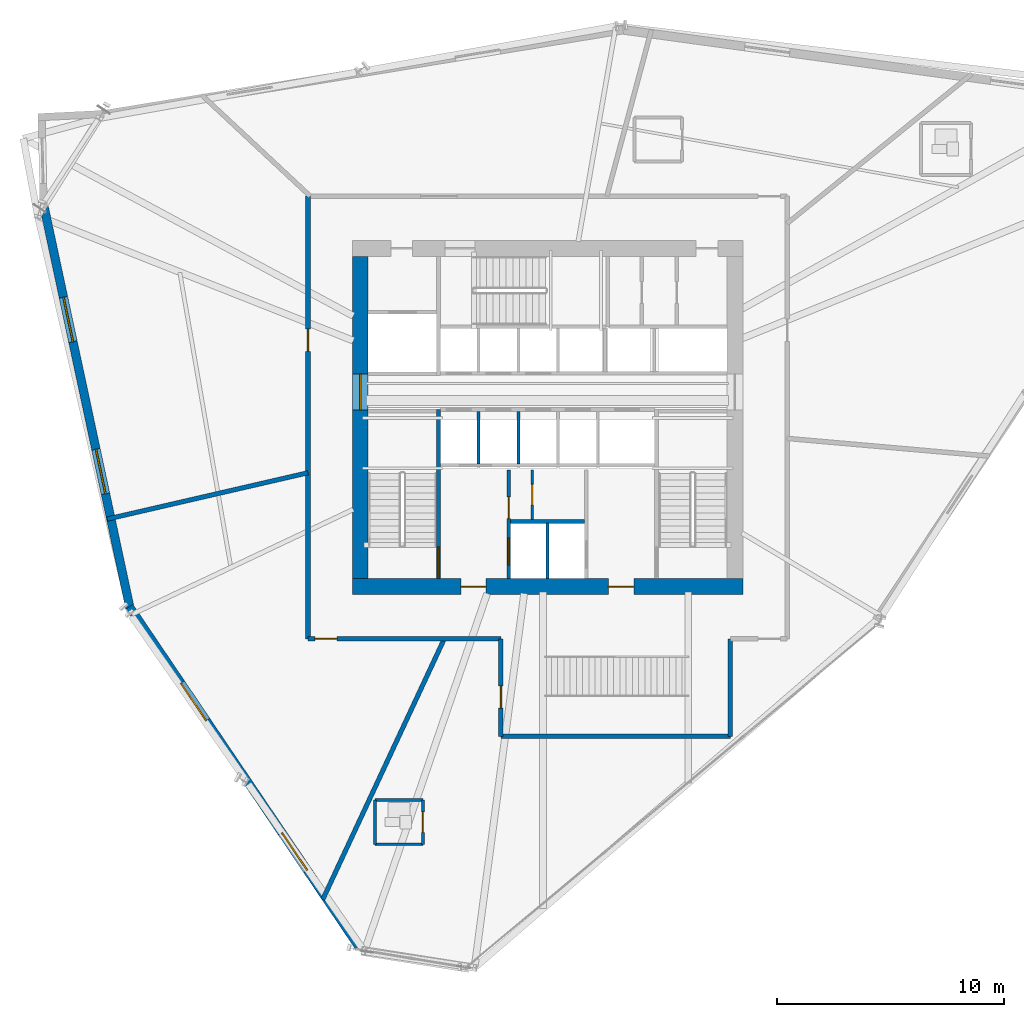
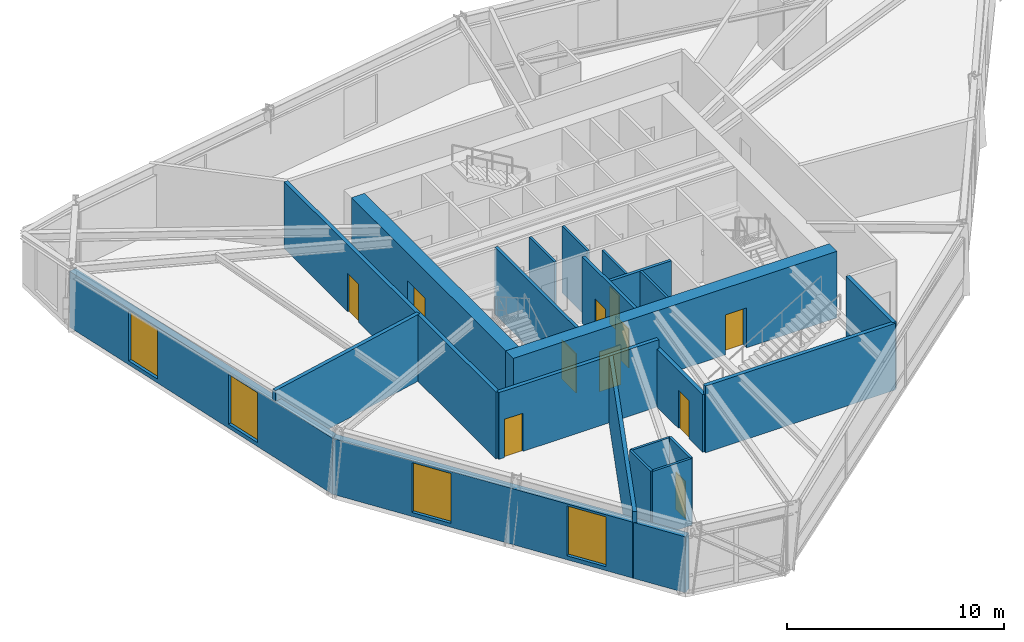
# One storey, part 11 of 16: 22 walls, 11 doors, 4 windows, 15 openings.
"""IFC4 building model written with IfcOpenShell, lengths in metres."""

from ifc_helpers import new_model, si_unit, direction, frame, frame_2d, origin, place, context, subcontext, project, spatial, rectangle, extrude, source, transform, mapped, material, layer, layer_set, type_object, type_shapes, element, fill, save


model = new_model("IFC4")

# Units and contexts
model_context = context("Model", 3, precision=1e-05, world=origin(), true_north=direction((0.0, 1.0)))
body_context = subcontext(model_context, "Body", "Model", "MODEL_VIEW")
ifc_project = project(units=[si_unit("LENGTHUNIT", "METRE"), si_unit("AREAUNIT", "SQUARE_METRE"), si_unit("VOLUMEUNIT", "CUBIC_METRE"), si_unit("PLANEANGLEUNIT", "RADIAN"), si_unit("MASSUNIT", "GRAM", prefix="KILO")], contexts=[model_context])

# Site, building, storey
site_placement = place(None, origin())
site = spatial("IfcSite", under=ifc_project, at=site_placement, CompositionType="ELEMENT")
building_placement = place(site_placement, origin())
building = spatial("IfcBuilding", under=site, at=building_placement, Name="Olszyna Solenne Hotel", CompositionType="ELEMENT")
storey_placement = place(building_placement, frame((0.0, 0.0, 134.10009765625)))
storey = spatial("IfcBuildingStorey", under=building, at=storey_placement, Name="L35", CompositionType="ELEMENT", Elevation=134.10009765625)

# Wall, openings, doors
ifc_material_1 = material(Name="Concrete C60/75", Category="concrete")
ifc_layer_1 = layer(ifc_material_1, 0.699951171875, Name="Concrete C60/75")
ifc_layer_set_1 = layer_set([ifc_layer_1], Name="Concrete C60/75")
wall_type_1 = type_object("IfcWallType", Name="WL-CR700", PredefinedType="SHEAR", material=ifc_layer_set_1)
wall_1_placement = place(storey_placement, frame((46.60009765625, 19.14990234375, 0.0), z_axis=(0.0, 0.0, 1.0), x_axis=(-1.0, 0.0, 0.0)))
wall_1 = element("IfcWall", 1, at=wall_1_placement, inside=storey, type_object=wall_type_1, Name="Core shear wall WL-CR700 CRW-L35-S", PredefinedType="SHEAR", context=body_context, shape_type="SweptSolid", body=[
    extrude(rectangle(XDim=17.2001953125, YDim=0.699951171875, at=frame_2d((8.60009765625, 0.0))), origin(), (0.0, 0.0, 1.0), 3.75),
])
opening_1_placement = place(wall_1_placement, frame((4.800048828125, 0.0, 0.0)))
opening_1 = element("IfcOpeningElement", 2, at=opening_1_placement, cuts=wall_1, Name="Opening FL-L35-1", PredefinedType="OPENING", context=body_context, shape_type="SweptSolid", body=[
    extrude(rectangle(XDim=1.1201171875, YDim=2.25, at=frame_2d((0.56005859375, 1.125))), frame((0.0, 0.35986328125, 0.0), z_axis=(0.0, -1.0, 0.0), x_axis=(1.0, 0.0, 0.0)), (0.0, 0.0, 1.0), 0.719970703125),
])
opening_2_placement = place(wall_1_placement, frame((11.300048828125, 0.0, 0.0)))
opening_2 = element("IfcOpeningElement", 3, at=opening_2_placement, cuts=wall_1, Name="Opening FL-L35-2", PredefinedType="OPENING", context=body_context, shape_type="SweptSolid", body=[
    extrude(rectangle(XDim=1.1201171875, YDim=2.25, at=frame_2d((0.56005859375, 1.125))), frame((0.0, 0.35986328125, 0.0), z_axis=(0.0, -1.0, 0.0), x_axis=(1.0, 0.0, 0.0)), (0.0, 0.0, 1.0), 0.719970703125),
])
ifc_material_2 = material(Name="Steel S355J2", Category="steel")
door_type_1 = type_object("IfcDoorType", Name="DR-FL1", OperationType="NOTDEFINED", PredefinedType="DOOR", material=ifc_material_2)
shared_shape_1 = source(origin(), body_context, "Body", "SweptSolid", [
    extrude(rectangle(XDim=1.1201171875, YDim=2.25, at=frame_2d((0.56005859375, 1.125))), frame((0.0, 0.02490234375, 0.0), z_axis=(0.0, -1.0, 0.0), x_axis=(1.0, 0.0, 0.0)), (0.0, 0.0, 1.0), 0.050048828125),
])
type_shapes(door_type_1, [shared_shape_1])
door_1_placement = place(opening_1_placement, origin())
door_1 = element("IfcDoor", 4, at=door_1_placement, inside=storey, type_object=door_type_1, Name="Firefighting lift lobby smoke door FL-L35-1", OperationType="SINGLE_SWING_LEFT", OverallHeight=2.25, OverallWidth=1.1201171875, PredefinedType="DOOR", context=body_context, shape_type="MappedRepresentation", body=[
    mapped(shared_shape_1, transform((0.0, 0.0, 0.0), x_axis=(1.0, 0.0, 0.0), y_axis=(0.0, 1.0, 0.0), z_axis=(0.0, 0.0, 1.0), scale=1.0)),
])
fill(opening_1, door_1)
door_2_placement = place(opening_2_placement, origin())
door_2 = element("IfcDoor", 5, at=door_2_placement, inside=storey, type_object=door_type_1, Name="Firefighting lift lobby smoke door FL-L35-2", OperationType="SINGLE_SWING_RIGHT", OverallHeight=2.25, OverallWidth=1.1201171875, PredefinedType="DOOR", context=body_context, shape_type="MappedRepresentation", body=[
    mapped(shared_shape_1, transform((0.0, 0.0, 0.0), x_axis=(1.0, 0.0, 0.0), y_axis=(0.0, 1.0, 0.0), z_axis=(0.0, 0.0, 1.0), scale=1.0)),
])
fill(opening_2, door_2)

# Wall, opening, door
wall_2_placement = place(storey_placement, frame((29.75, 19.5, 0.0), z_axis=(0.0, 0.0, 1.0), x_axis=(0.0, 1.0, 0.0)))
wall_2 = element("IfcWall", 6, at=wall_2_placement, inside=storey, type_object=wall_type_1, Name="Core shear wall WL-CR700 CRW-L35-W", PredefinedType="SHEAR", context=body_context, shape_type="SweptSolid", body=[
    extrude(rectangle(XDim=14.199951171875, YDim=0.699951171875, at=frame_2d((7.10009765625, 0.0))), origin(), (0.0, 0.0, 1.0), 3.75),
])
opening_3_placement = place(wall_2_placement, frame((7.419921875, 0.0, 0.0)))
opening_3 = element("IfcOpeningElement", 7, at=opening_3_placement, cuts=wall_2, Name="Opening LHD-L35-W", PredefinedType="OPENING", context=body_context, shape_type="SweptSolid", body=[
    extrude(rectangle(XDim=1.60009765625, YDim=2.199951171875, at=frame_2d((0.800048828125, 1.10009765625))), frame((0.0, 0.35986328125, 0.0), z_axis=(0.0, -1.0, 0.0), x_axis=(1.0, 0.0, 0.0)), (0.0, 0.0, 1.0), 0.719970703125),
])
ifc_material_3 = material(Name="Timber hardwood", Category="wood")
door_type_2 = type_object("IfcDoorType", Name="DR-CR1", OperationType="DOUBLE_DOOR_SINGLE_SWING", PredefinedType="DOOR", material=ifc_material_3)
shared_shape_2 = source(origin(), body_context, "Body", "SweptSolid", [
    extrude(rectangle(XDim=1.60009765625, YDim=2.199951171875, at=frame_2d((0.800048828125, 1.10009765625))), frame((0.0, 0.02490234375, 0.0), z_axis=(0.0, -1.0, 0.0), x_axis=(1.0, 0.0, 0.0)), (0.0, 0.0, 1.0), 0.050048828125),
])
type_shapes(door_type_2, [shared_shape_2])
door_3_placement = place(opening_3_placement, origin())
door_3 = element("IfcDoor", 8, at=door_3_placement, inside=storey, type_object=door_type_2, Name="Passenger lift lobby West fire door LHD-L35-W", OperationType="DOUBLE_DOOR_SINGLE_SWING", OverallHeight=2.199951171875, OverallWidth=1.60009765625, PredefinedType="DOOR", context=body_context, shape_type="MappedRepresentation", body=[
    mapped(shared_shape_2, transform((0.0, 0.0, 0.0), x_axis=(1.0, 0.0, 0.0), y_axis=(0.0, 1.0, 0.0), z_axis=(0.0, 0.0, 1.0), scale=1.0)),
])
fill(opening_3, door_3)

# Wall, openings, windows
ifc_material_4 = material(Name="Terracotta cladding on precast concrete C45/55", Category="masonry")
ifc_layer_2 = layer(ifc_material_4, 0.3798828125, Name="Terracotta cladding on precast concrete C45/55")
ifc_layer_set_2 = layer_set([ifc_layer_2], Name="Terracotta cladding on precast concrete C45/55")
wall_type_2 = type_object("IfcWallType", Name="WL-EX380", PredefinedType="SOLIDWALL", material=ifc_layer_set_2)
wall_3_placement = place(storey_placement, frame((29.6875, 3.294921875, 0.0), z_axis=(0.0, 0.0, 1.0), x_axis=(-0.55956316064, 0.828787710608, 0.0)))
wall_3 = element("IfcWall", 9, at=wall_3_placement, inside=storey, type_object=wall_type_2, Name="Exterior terracotta-precast frame wall WL-EX380 EW-L35-03", PredefinedType="SOLIDWALL", context=body_context, shape_type="SweptSolid", body=[
    extrude(rectangle(XDim=18.061279296875, YDim=0.3798828125, at=frame_2d((9.03076171875, 0.0))), origin(), (0.0, 0.0, 1.0), 3.141845703125),
])
opening_4_placement = place(wall_3_placement, frame((4.056884765625, 0.0, 0.221923828125)))
opening_4 = element("IfcOpeningElement", 10, at=opening_4_placement, cuts=wall_3, Name="Opening WN-L35-202", PredefinedType="OPENING", context=body_context, shape_type="SweptSolid", body=[
    extrude(rectangle(XDim=2.0, YDim=2.800048828125, at=frame_2d((1.0, 1.39990234375))), frame((0.0, 0.199951171875, 0.0), z_axis=(0.0, -1.0, 0.0), x_axis=(1.0, 0.0, 0.0)), (0.0, 0.0, 1.0), 0.39990234375),
])
opening_5_placement = place(wall_3_placement, frame((12.00390625, 0.0, 0.221923828125)))
opening_5 = element("IfcOpeningElement", 11, at=opening_5_placement, cuts=wall_3, Name="Opening WN-L35-203", PredefinedType="OPENING", context=body_context, shape_type="SweptSolid", body=[
    extrude(rectangle(XDim=2.0, YDim=2.800048828125, at=frame_2d((1.0, 1.39990234375))), frame((0.0, 0.199951171875, 0.0), z_axis=(0.0, -1.0, 0.0), x_axis=(1.0, 0.0, 0.0)), (0.0, 0.0, 1.0), 0.39990234375),
])
ifc_material_5 = material(Name="Low-E triple glazing", Category="glass")
window_type = type_object("IfcWindowType", Name="WN-SG1", PartitioningType="SINGLE_PANEL", PredefinedType="WINDOW", material=ifc_material_5)
shared_shape_3 = source(origin(), body_context, "Body", "SweptSolid", [
    extrude(rectangle(XDim=2.0, YDim=2.800048828125, at=frame_2d((1.0, 1.39990234375))), frame((0.0, 0.030029296875, 0.0), z_axis=(0.0, -1.0, 0.0), x_axis=(1.0, 0.0, 0.0)), (0.0, 0.0, 1.0), 0.06005859375),
])
type_shapes(window_type, [shared_shape_3])
window_1_placement = place(opening_4_placement, origin())
window_1 = element("IfcWindow", 12, at=window_1_placement, inside=storey, type_object=window_type, Name="Exterior facade window WN-SG1 WN-L35-202", OverallHeight=2.800048828125, OverallWidth=2.0, PartitioningType="SINGLE_PANEL", PredefinedType="WINDOW", context=body_context, shape_type="MappedRepresentation", body=[
    mapped(shared_shape_3, transform((0.0, 0.0, 0.0), x_axis=(1.0, 0.0, 0.0), y_axis=(0.0, 1.0, 0.0), z_axis=(0.0, 0.0, 1.0), scale=1.0)),
])
fill(opening_4, window_1)
window_2_placement = place(opening_5_placement, origin())
window_2 = element("IfcWindow", 13, at=window_2_placement, inside=storey, type_object=window_type, Name="Exterior facade window WN-SG1 WN-L35-203", OverallHeight=2.800048828125, OverallWidth=2.0, PartitioningType="SINGLE_PANEL", PredefinedType="WINDOW", context=body_context, shape_type="MappedRepresentation", body=[
    mapped(shared_shape_3, transform((0.0, 0.0, 0.0), x_axis=(1.0, 0.0, 0.0), y_axis=(0.0, 1.0, 0.0), z_axis=(0.0, 0.0, 1.0), scale=1.0)),
])
fill(opening_5, window_2)

wall_4_placement = place(storey_placement, frame((19.609375, 18.197509765625, 0.0), z_axis=(0.0, 0.0, 1.0), x_axis=(-0.209230911942, 0.977866261555, 0.0)))
wall_4 = element("IfcWall", 14, at=wall_4_placement, inside=storey, type_object=wall_type_2, Name="Exterior terracotta-precast frame wall WL-EX380 EW-L35-04", PredefinedType="SOLIDWALL", context=body_context, shape_type="SweptSolid", body=[
    extrude(rectangle(XDim=18.0615234375, YDim=0.3798828125, at=frame_2d((9.03076171875, 0.0))), origin(), (0.0, 0.0, 1.0), 3.141845703125),
])
opening_6_placement = place(wall_4_placement, frame((5.156982421875, 0.0, 0.221923828125)))
opening_6 = element("IfcOpeningElement", 15, at=opening_6_placement, cuts=wall_4, Name="Opening WN-L35-204", PredefinedType="OPENING", context=body_context, shape_type="SweptSolid", body=[
    extrude(rectangle(XDim=2.0, YDim=2.800048828125, at=frame_2d((1.0, 1.39990234375))), frame((0.0, 0.199951171875, 0.0), z_axis=(0.0, -1.0, 0.0), x_axis=(1.0, 0.0, 0.0)), (0.0, 0.0, 1.0), 0.39990234375),
])
opening_7_placement = place(wall_4_placement, frame((12.00390625, 0.0, 0.221923828125)))
opening_7 = element("IfcOpeningElement", 16, at=opening_7_placement, cuts=wall_4, Name="Opening WN-L35-205", PredefinedType="OPENING", context=body_context, shape_type="SweptSolid", body=[
    extrude(rectangle(XDim=2.0, YDim=2.800048828125, at=frame_2d((1.0, 1.39990234375))), frame((0.0, 0.199951171875, 0.0), z_axis=(0.0, -1.0, 0.0), x_axis=(1.0, 0.0, 0.0)), (0.0, 0.0, 1.0), 0.39990234375),
])
window_3_placement = place(opening_6_placement, origin())
window_3 = element("IfcWindow", 17, at=window_3_placement, inside=storey, type_object=window_type, Name="Exterior facade window WN-SG1 WN-L35-204", OverallHeight=2.800048828125, OverallWidth=2.0, PartitioningType="SINGLE_PANEL", PredefinedType="WINDOW", context=body_context, shape_type="MappedRepresentation", body=[
    mapped(shared_shape_3, transform((0.0, 0.0, 0.0), x_axis=(1.0, 0.0, 0.0), y_axis=(0.0, 1.0, 0.0), z_axis=(0.0, 0.0, 1.0), scale=1.0)),
])
fill(opening_6, window_3)
window_4_placement = place(opening_7_placement, origin())
window_4 = element("IfcWindow", 18, at=window_4_placement, inside=storey, type_object=window_type, Name="Exterior facade window WN-SG1 WN-L35-205", OverallHeight=2.800048828125, OverallWidth=2.0, PartitioningType="SINGLE_PANEL", PredefinedType="WINDOW", context=body_context, shape_type="MappedRepresentation", body=[
    mapped(shared_shape_3, transform((0.0, 0.0, 0.0), x_axis=(1.0, 0.0, 0.0), y_axis=(0.0, 1.0, 0.0), z_axis=(0.0, 0.0, 1.0), scale=1.0)),
])
fill(opening_7, window_4)

# Wall
ifc_material_6 = material(Name="Acoustic gypsum partition", Category="gypsum")
ifc_layer_3 = layer(ifc_material_6, 0.125, Name="Acoustic gypsum partition")
ifc_layer_set_3 = layer_set([ifc_layer_3], Name="Acoustic gypsum partition")
wall_type_3 = type_object("IfcWallType", Name="WL-PT125", PredefinedType="PARTITIONING", material=ifc_layer_set_3)
wall_5_placement = place(storey_placement, frame((38.0, 19.5, 0.0), z_axis=(0.0, 0.0, 1.0), x_axis=(0.0, 1.0, 0.0)))
element("IfcWall", 19, at=wall_5_placement, inside=storey, type_object=wall_type_3, Name="Core shaft compartment wall CW-L35-FFM", PredefinedType="PARTITIONING", context=body_context, shape_type="SweptSolid", body=[
    extrude(rectangle(XDim=2.4599609375, YDim=0.125, at=frame_2d((1.22998046875, 0.0))), origin(), (0.0, 0.0, 1.0), 3.75),
])

# Wall, opening, door
wall_6_placement = place(storey_placement, frame((37.330078125, 22.10009765625, 0.0), z_axis=(0.0, 0.0, 1.0), x_axis=(0.0, 1.0, 0.0)))
wall_6 = element("IfcWall", 20, at=wall_6_placement, inside=storey, type_object=wall_type_3, Name="Core shaft compartment wall CW-L35-SC3", PredefinedType="PARTITIONING", context=body_context, shape_type="SweptSolid", body=[
    extrude(rectangle(XDim=2.179931640625, YDim=0.125, at=frame_2d((1.08984375, 0.0))), origin(), (0.0, 0.0, 1.0), 3.75),
])
opening_8_placement = place(wall_6_placement, frame((0.64990234375, 0.0, 0.0)))
opening_8 = element("IfcOpeningElement", 21, at=opening_8_placement, cuts=wall_6, Name="Opening SVD-L35-SC3", PredefinedType="OPENING", context=body_context, shape_type="SweptSolid", body=[
    extrude(rectangle(XDim=0.89990234375, YDim=2.10009765625, at=frame_2d((0.449951171875, 1.050048828125))), frame((0.0, 0.072509765625, 0.0), z_axis=(0.0, -1.0, 0.0), x_axis=(1.0, 0.0, 0.0)), (0.0, 0.0, 1.0), 0.14501953125),
])
door_type_3 = type_object("IfcDoorType", Name="DR-WC1", OperationType="NOTDEFINED", PredefinedType="DOOR", material=ifc_material_3)
shared_shape_4 = source(origin(), body_context, "Body", "SweptSolid", [
    extrude(rectangle(XDim=0.89990234375, YDim=2.10009765625, at=frame_2d((0.449951171875, 1.050048828125))), frame((0.0, 0.02490234375, 0.0), z_axis=(0.0, -1.0, 0.0), x_axis=(1.0, 0.0, 0.0)), (0.0, 0.0, 1.0), 0.050048828125),
])
type_shapes(door_type_3, [shared_shape_4])
door_4_placement = place(opening_8_placement, origin())
door_4 = element("IfcDoor", 22, at=door_4_placement, inside=storey, type_object=door_type_3, Name="Trolley bay door SVD-L35-SC3", OperationType="SINGLE_SWING_LEFT", OverallHeight=2.10009765625, OverallWidth=0.89990234375, PredefinedType="DOOR", context=body_context, shape_type="MappedRepresentation", body=[
    mapped(shared_shape_4, transform((0.0, 0.0, 0.0), x_axis=(1.0, 0.0, 0.0), y_axis=(0.0, 1.0, 0.0), z_axis=(0.0, 0.0, 1.0), scale=1.0)),
])
fill(opening_8, door_4)

# Walls
for number, where, z_axis, x_axis, name in (
    (23, (34.965087890625, 24.56005859375, 0.0), (0.0, 0.0, 1.0), (0.0, 1.0, 0.0), "Core shaft compartment wall CW-L35-DIVS349"),
    (24, (36.715087890625, 24.56005859375, 0.0), (0.0, 0.0, 1.0), (0.0, 1.0, 0.0), "Core shaft compartment wall CW-L35-DIVS367"),
):
    element("IfcWall", number, at=place(storey_placement, frame(where, z_axis=z_axis, x_axis=x_axis)), inside=storey, type_object=wall_type_3, Name=name, PredefinedType="PARTITIONING", context=body_context, shape_type="SweptSolid", body=[
        extrude(rectangle(XDim=2.31005859375, YDim=0.125, at=frame_2d((1.155029296875, 0.0))), origin(), (0.0, 0.0, 1.0), 3.75),
    ])

# Wall, opening, door
wall_7_placement = place(storey_placement, frame((32.509033203125, 7.801025390625, 0.0), z_axis=(0.0, 0.0, 1.0), x_axis=(0.0, 1.0, 0.0)))
wall_7 = element("IfcWall", 25, at=wall_7_placement, inside=storey, type_object=wall_type_3, Name="Interior acoustic partition WL-PT125 PW-L35-2016", PredefinedType="PARTITIONING", context=body_context, shape_type="SweptSolid", body=[
    extrude(rectangle(XDim=1.949951171875, YDim=0.125, at=frame_2d((0.97509765625, 0.0))), origin(), (0.0, 0.0, 1.0), 3.75),
])
opening_9_placement = place(wall_7_placement, frame((0.52490234375, 0.0, 0.0)))
opening_9 = element("IfcOpeningElement", 26, at=opening_9_placement, cuts=wall_7, Name="Opening DR-L35-0488", PredefinedType="OPENING", context=body_context, shape_type="SweptSolid", body=[
    extrude(rectangle(XDim=0.89990234375, YDim=2.10009765625, at=frame_2d((0.449951171875, 1.050048828125))), frame((0.0, 0.072509765625, 0.0), z_axis=(0.0, -1.0, 0.0), x_axis=(1.0, 0.0, 0.0)), (0.0, 0.0, 1.0), 0.14501953125),
])
door_5_placement = place(opening_9_placement, origin())
door_5 = element("IfcDoor", 27, at=door_5_placement, inside=storey, type_object=door_type_3, Name="En-Suite Bathroom Door DR-L35-0488", OperationType="SINGLE_SWING_RIGHT", OverallHeight=2.10009765625, OverallWidth=0.89990234375, PredefinedType="DOOR", context=body_context, shape_type="MappedRepresentation", body=[
    mapped(shared_shape_4, transform((0.0, 0.0, 0.0), x_axis=(1.0, 0.0, 0.0), y_axis=(0.0, 1.0, 0.0), z_axis=(0.0, 0.0, 1.0), scale=1.0)),
])
fill(opening_9, door_5)

# Walls
wall_8_placement = place(storey_placement, frame((32.509033203125, 9.7509765625, 0.0), z_axis=(0.0, 0.0, 1.0), x_axis=(-1.0, 0.0, 0.0)))
element("IfcWall", 28, at=wall_8_placement, inside=storey, type_object=wall_type_3, Name="Interior acoustic partition WL-PT125 PW-L35-2017", PredefinedType="PARTITIONING", context=body_context, shape_type="SweptSolid", body=[
    extrude(rectangle(XDim=2.10009765625, YDim=0.125, at=frame_2d((1.050048828125, 0.0))), origin(), (0.0, 0.0, 1.0), 3.75),
])
wall_9_placement = place(storey_placement, frame((30.408935546875, 9.7509765625, 0.0), z_axis=(0.0, 0.0, 1.0), x_axis=(0.0, -1.0, 0.0)))
element("IfcWall", 29, at=wall_9_placement, inside=storey, type_object=wall_type_3, Name="Interior acoustic partition WL-PT125 PW-L35-2018", PredefinedType="PARTITIONING", context=body_context, shape_type="SweptSolid", body=[
    extrude(rectangle(XDim=1.949951171875, YDim=0.125, at=frame_2d((0.97509765625, 0.0))), origin(), (0.0, 0.0, 1.0), 3.75),
])
wall_10_placement = place(storey_placement, frame((30.408935546875, 7.801025390625, 0.0), z_axis=(0.0, 0.0, 1.0), x_axis=(1.0, 0.0, 0.0)))
element("IfcWall", 30, at=wall_10_placement, inside=storey, type_object=wall_type_3, Name="Interior acoustic partition WL-PT125 PW-L35-2019", PredefinedType="PARTITIONING", context=body_context, shape_type="SweptSolid", body=[
    extrude(rectangle(XDim=2.10009765625, YDim=0.125, at=frame_2d((1.050048828125, 0.0))), origin(), (0.0, 0.0, 1.0), 3.75),
])

# Wall, opening, door
ifc_layer_4 = layer(ifc_material_6, 0.159912109375, Name="Acoustic gypsum partition")
ifc_layer_set_4 = layer_set([ifc_layer_4], Name="Acoustic gypsum partition")
wall_type_4 = type_object("IfcWallType", Name="WL-PT160", PredefinedType="PARTITIONING", material=ifc_layer_set_4)
wall_11_placement = place(storey_placement, frame((33.199951171875, 19.5, 0.0), z_axis=(0.0, 0.0, 1.0), x_axis=(0.0, 1.0, 0.0)))
wall_11 = element("IfcWall", 31, at=wall_11_placement, inside=storey, type_object=wall_type_4, Name="Core shaft compartment wall CW-L35-ST1E", PredefinedType="PARTITIONING", context=body_context, shape_type="SweptSolid", body=[
    extrude(rectangle(XDim=7.4599609375, YDim=0.159912109375, at=frame_2d((3.72998046875, 0.0))), origin(), (0.0, 0.0, 1.0), 3.75),
])
opening_10_placement = place(wall_11_placement, frame((0.080078125, 0.0, 0.0)))
opening_10 = element("IfcOpeningElement", 32, at=opening_10_placement, cuts=wall_11, Name="Opening STD-L35-01", PredefinedType="OPENING", context=body_context, shape_type="SweptSolid", body=[
    extrude(rectangle(XDim=1.320068359375, YDim=2.199951171875, at=frame_2d((0.66015625, 1.10009765625))), frame((0.0, 0.08984375, 0.0), z_axis=(0.0, -1.0, 0.0), x_axis=(1.0, 0.0, 0.0)), (0.0, 0.0, 1.0), 0.179931640625),
])
door_type_4 = type_object("IfcDoorType", Name="DR-ST1", OperationType="NOTDEFINED", PredefinedType="DOOR", material=ifc_material_2)
shared_shape_5 = source(origin(), body_context, "Body", "SweptSolid", [
    extrude(rectangle(XDim=1.320068359375, YDim=2.199951171875, at=frame_2d((0.66015625, 1.10009765625))), frame((0.0, 0.02490234375, 0.0), z_axis=(0.0, -1.0, 0.0), x_axis=(1.0, 0.0, 0.0)), (0.0, 0.0, 1.0), 0.050048828125),
])
type_shapes(door_type_4, [shared_shape_5])
door_6_placement = place(opening_10_placement, origin())
door_6 = element("IfcDoor", 33, at=door_6_placement, inside=storey, type_object=door_type_4, Name="Pressurised exit stair ST1 fire door STD-L35-01", OperationType="SINGLE_SWING_LEFT", OverallHeight=2.199951171875, OverallWidth=1.320068359375, PredefinedType="DOOR", context=body_context, shape_type="MappedRepresentation", body=[
    mapped(shared_shape_5, transform((0.0, 0.0, 0.0), x_axis=(1.0, 0.0, 0.0), y_axis=(0.0, 1.0, 0.0), z_axis=(0.0, 0.0, 1.0), scale=1.0)),
])
fill(opening_10, door_6)

# Wall, openings, doors
wall_12_placement = place(storey_placement, frame((36.300048828125, 19.5, 0.0), z_axis=(0.0, 0.0, 1.0), x_axis=(0.0, 1.0, 0.0)))
wall_12 = element("IfcWall", 34, at=wall_12_placement, inside=storey, type_object=wall_type_4, Name="Core shaft compartment wall CW-L35-FF1W", PredefinedType="PARTITIONING", context=body_context, shape_type="SweptSolid", body=[
    extrude(rectangle(XDim=4.780029296875, YDim=0.159912109375, at=frame_2d((2.39013671875, 0.0))), origin(), (0.0, 0.0, 1.0), 3.75),
])
opening_11_placement = place(wall_12_placement, frame((0.60009765625, 0.0, 0.0)))
opening_11 = element("IfcOpeningElement", 35, at=opening_11_placement, cuts=wall_12, Name="Opening LD-L35-FF1", PredefinedType="OPENING", context=body_context, shape_type="SweptSolid", body=[
    extrude(rectangle(XDim=1.199951171875, YDim=2.199951171875, at=frame_2d((0.60009765625, 1.10009765625))), frame((0.0, 0.08984375, 0.0), z_axis=(0.0, -1.0, 0.0), x_axis=(1.0, 0.0, 0.0)), (0.0, 0.0, 1.0), 0.179931640625),
])
opening_12_placement = place(wall_12_placement, frame((2.64990234375, 0.0, 0.0)))
opening_12 = element("IfcOpeningElement", 36, at=opening_12_placement, cuts=wall_12, Name="Opening SVD-L35-SMK", PredefinedType="OPENING", context=body_context, shape_type="SweptSolid", body=[
    extrude(rectangle(XDim=0.949951171875, YDim=2.10009765625, at=frame_2d((0.47509765625, 1.050048828125))), frame((0.0, 0.08984375, 0.0), z_axis=(0.0, -1.0, 0.0), x_axis=(1.0, 0.0, 0.0)), (0.0, 0.0, 1.0), 0.179931640625),
])
door_type_5 = type_object("IfcDoorType", Name="DR-SV1", OperationType="NOTDEFINED", PredefinedType="DOOR", material=ifc_material_2)
shared_shape_6 = source(origin(), body_context, "Body", "SweptSolid", [
    extrude(rectangle(XDim=0.949951171875, YDim=2.10009765625, at=frame_2d((0.47509765625, 1.050048828125))), frame((0.0, 0.02490234375, 0.0), z_axis=(0.0, -1.0, 0.0), x_axis=(1.0, 0.0, 0.0)), (0.0, 0.0, 1.0), 0.050048828125),
])
type_shapes(door_type_5, [shared_shape_6])
door_7_placement = place(opening_12_placement, origin())
door_7 = element("IfcDoor", 37, at=door_7_placement, inside=storey, type_object=door_type_5, Name="Valet and core service room door SVD-L35-SMK", OperationType="SINGLE_SWING_LEFT", OverallHeight=2.10009765625, OverallWidth=0.949951171875, PredefinedType="DOOR", context=body_context, shape_type="MappedRepresentation", body=[
    mapped(shared_shape_6, transform((0.0, 0.0, 0.0), x_axis=(1.0, 0.0, 0.0), y_axis=(0.0, 1.0, 0.0), z_axis=(0.0, 0.0, 1.0), scale=1.0)),
])
fill(opening_12, door_7)
door_type_6 = type_object("IfcDoorType", Name="LD-FF1", OperationType="DOUBLE_DOOR_SLIDING", PredefinedType="DOOR", material=ifc_material_2)
shared_shape_7 = source(origin(), body_context, "Body", "SweptSolid", [
    extrude(rectangle(XDim=1.199951171875, YDim=2.199951171875, at=frame_2d((0.60009765625, 1.10009765625))), frame((0.0, 0.02490234375, 0.0), z_axis=(0.0, -1.0, 0.0), x_axis=(1.0, 0.0, 0.0)), (0.0, 0.0, 1.0), 0.050048828125),
])
type_shapes(door_type_6, [shared_shape_7])
door_8_placement = place(opening_11_placement, origin())
door_8 = element("IfcDoor", 38, at=door_8_placement, inside=storey, type_object=door_type_6, Name="Firefighters lift FF1 sliding landing door LD-L35-FF1", OperationType="DOUBLE_DOOR_SLIDING", OverallHeight=2.199951171875, OverallWidth=1.199951171875, PredefinedType="DOOR", context=body_context, shape_type="MappedRepresentation", body=[
    mapped(shared_shape_7, transform((0.0, 0.0, 0.0), x_axis=(1.0, 0.0, 0.0), y_axis=(0.0, 1.0, 0.0), z_axis=(0.0, 0.0, 1.0), scale=1.0)),
])
fill(opening_11, door_8)

# Walls
wall_13_placement = place(storey_placement, frame((36.3798828125, 22.02001953125, 0.0), z_axis=(0.0, 0.0, 1.0), x_axis=(1.0, 0.0, 0.0)))
element("IfcWall", 39, at=wall_13_placement, inside=storey, type_object=wall_type_4, Name="Core shaft compartment wall CW-L35-FFN", PredefinedType="PARTITIONING", context=body_context, shape_type="SweptSolid", body=[
    extrude(rectangle(XDim=3.240234375, YDim=0.159912109375, at=frame_2d((1.6201171875, 0.0))), origin(), (0.0, 0.0, 1.0), 3.75),
])
ifc_layer_5 = layer(ifc_material_6, 0.199951171875, Name="Acoustic gypsum partition")
ifc_layer_set_5 = layer_set([ifc_layer_5], Name="Acoustic gypsum partition")
wall_type_5 = type_object("IfcWallType", Name="WL-PT200", PredefinedType="PARTITIONING", material=ifc_layer_set_5)
wall_14_placement = place(storey_placement, frame((27.449951171875, 24.164306640625, 0.0), z_axis=(0.0, 0.0, 1.0), x_axis=(-0.97437124521, -0.224945941303, 0.0)))
element("IfcWall", 40, at=wall_14_placement, inside=storey, type_object=wall_type_5, Name="Interior acoustic partition WL-PT200 PW-L35-2012", PredefinedType="PARTITIONING", context=body_context, shape_type="SweptSolid", body=[
    extrude(rectangle(XDim=9.07666015625, YDim=0.199951171875, at=frame_2d((4.538330078125, 0.0))), origin(), (0.0, 0.0, 1.0), 3.75),
])
wall_15_placement = place(storey_placement, frame((33.45361328125, 16.85009765625, 0.0), z_axis=(0.0, 0.0, 1.0), x_axis=(-0.42262812914, -0.906303185727, 0.0)))
element("IfcWall", 41, at=wall_15_placement, inside=storey, type_object=wall_type_5, Name="Interior acoustic partition WL-PT200 PW-L35-2013", PredefinedType="PARTITIONING", context=body_context, shape_type="SweptSolid", body=[
    extrude(rectangle(XDim=12.673583984375, YDim=0.199951171875, at=frame_2d((6.3369140625, 0.0))), origin(), (0.0, 0.0, 1.0), 3.75),
])

# Wall, opening, door
wall_16_placement = place(storey_placement, frame((27.449951171875, 16.85009765625, 0.0), z_axis=(0.0, 0.0, 1.0), x_axis=(1.0, 0.0, 0.0)))
wall_16 = element("IfcWall", 42, at=wall_16_placement, inside=storey, type_object=wall_type_5, Name="Interior acoustic partition WL-PT200 PW-L35-2028", PredefinedType="PARTITIONING", context=body_context, shape_type="SweptSolid", body=[
    extrude(rectangle(XDim=8.5, YDim=0.199951171875, at=frame_2d((4.25, 0.0))), origin(), (0.0, 0.0, 1.0), 3.75),
])
opening_13_placement = place(wall_16_placement, frame((0.300048828125, 0.0, 0.0)))
opening_13 = element("IfcOpeningElement", 43, at=opening_13_placement, cuts=wall_16, Name="Opening DR-L35-0491", PredefinedType="OPENING", context=body_context, shape_type="SweptSolid", body=[
    extrude(rectangle(XDim=0.97998046875, YDim=2.14990234375, at=frame_2d((0.489990234375, 1.074951171875))), frame((0.0, 0.10986328125, 0.0), z_axis=(0.0, -1.0, 0.0), x_axis=(1.0, 0.0, 0.0)), (0.0, 0.0, 1.0), 0.219970703125),
])
door_type_7 = type_object("IfcDoorType", Name="DR-RM1", OperationType="NOTDEFINED", PredefinedType="DOOR", material=ifc_material_3)
shared_shape_8 = source(origin(), body_context, "Body", "SweptSolid", [
    extrude(rectangle(XDim=0.97998046875, YDim=2.14990234375, at=frame_2d((0.489990234375, 1.074951171875))), frame((0.0, 0.02490234375, 0.0), z_axis=(0.0, -1.0, 0.0), x_axis=(1.0, 0.0, 0.0)), (0.0, 0.0, 1.0), 0.050048828125),
])
type_shapes(door_type_7, [shared_shape_8])
door_9_placement = place(opening_13_placement, origin())
door_9 = element("IfcDoor", 44, at=door_9_placement, inside=storey, type_object=door_type_7, Name="Botanical Tea Pavilion Entrance Door DR-L35-0491", OperationType="SINGLE_SWING_RIGHT", OverallHeight=2.14990234375, OverallWidth=0.97998046875, PredefinedType="DOOR", context=body_context, shape_type="MappedRepresentation", body=[
    mapped(shared_shape_8, transform((0.0, 0.0, 0.0), x_axis=(1.0, 0.0, 0.0), y_axis=(0.0, 1.0, 0.0), z_axis=(0.0, 0.0, 1.0), scale=1.0)),
])
fill(opening_13, door_9)

wall_17_placement = place(storey_placement, frame((27.449951171875, 16.85009765625, 0.0), z_axis=(0.0, 0.0, 1.0), x_axis=(0.0, 1.0, 0.0)))
wall_17 = element("IfcWall", 45, at=wall_17_placement, inside=storey, type_object=wall_type_5, Name="Interior acoustic partition WL-PT200 PW-L35-2030", PredefinedType="PARTITIONING", context=body_context, shape_type="SweptSolid", body=[
    extrude(rectangle(XDim=19.5, YDim=0.199951171875, at=frame_2d((9.75, 0.0))), origin(), (0.0, 0.0, 1.0), 3.75),
])
opening_14_placement = place(wall_17_placement, frame((12.659912109375, 0.0, 0.0)))
opening_14 = element("IfcOpeningElement", 46, at=opening_14_placement, cuts=wall_17, Name="Opening DR-L35-0493", PredefinedType="OPENING", context=body_context, shape_type="SweptSolid", body=[
    extrude(rectangle(XDim=0.97998046875, YDim=2.14990234375, at=frame_2d((0.489990234375, 1.074951171875))), frame((0.0, 0.10986328125, 0.0), z_axis=(0.0, -1.0, 0.0), x_axis=(1.0, 0.0, 0.0)), (0.0, 0.0, 1.0), 0.219970703125),
])
door_10_placement = place(opening_14_placement, origin())
door_10 = element("IfcDoor", 47, at=door_10_placement, inside=storey, type_object=door_type_7, Name="Sky Lobby Lounge Entrance Door DR-L35-0493", OperationType="SINGLE_SWING_LEFT", OverallHeight=2.14990234375, OverallWidth=0.97998046875, PredefinedType="DOOR", context=body_context, shape_type="MappedRepresentation", body=[
    mapped(shared_shape_8, transform((0.0, 0.0, 0.0), x_axis=(1.0, 0.0, 0.0), y_axis=(0.0, 1.0, 0.0), z_axis=(0.0, 0.0, 1.0), scale=1.0)),
])
fill(opening_14, door_10)

wall_18_placement = place(storey_placement, frame((35.949951171875, 12.550048828125, 0.0), z_axis=(0.0, 0.0, 1.0), x_axis=(0.0, 1.0, 0.0)))
wall_18 = element("IfcWall", 48, at=wall_18_placement, inside=storey, type_object=wall_type_5, Name="Interior acoustic partition WL-PT200 PW-L35-2033", PredefinedType="PARTITIONING", context=body_context, shape_type="SweptSolid", body=[
    extrude(rectangle(XDim=4.300048828125, YDim=0.199951171875, at=frame_2d((2.14990234375, 0.0))), origin(), (0.0, 0.0, 1.0), 3.244873046875),
])
opening_15_placement = place(wall_18_placement, frame((1.25, 0.0, 0.0)))
opening_15 = element("IfcOpeningElement", 49, at=opening_15_placement, cuts=wall_18, Name="Opening DR-L35-0497", PredefinedType="OPENING", context=body_context, shape_type="SweptSolid", body=[
    extrude(rectangle(XDim=0.97998046875, YDim=2.14990234375, at=frame_2d((0.489990234375, 1.074951171875))), frame((0.0, 0.10986328125, 0.0), z_axis=(0.0, -1.0, 0.0), x_axis=(1.0, 0.0, 0.0)), (0.0, 0.0, 1.0), 0.219970703125),
])
door_11_placement = place(opening_15_placement, origin())
door_11 = element("IfcDoor", 50, at=door_11_placement, inside=storey, type_object=door_type_7, Name="Horizon Suite Entrance Door DR-L35-0497", OperationType="SINGLE_SWING_LEFT", OverallHeight=2.14990234375, OverallWidth=0.97998046875, PredefinedType="DOOR", context=body_context, shape_type="MappedRepresentation", body=[
    mapped(shared_shape_8, transform((0.0, 0.0, 0.0), x_axis=(1.0, 0.0, 0.0), y_axis=(0.0, 1.0, 0.0), z_axis=(0.0, 0.0, 1.0), scale=1.0)),
])
fill(opening_15, door_11)

# Walls
wall_19_placement = place(storey_placement, frame((46.050048828125, 12.550048828125, 0.0), z_axis=(0.0, 0.0, 1.0), x_axis=(0.0, 1.0, 0.0)))
element("IfcWall", 51, at=wall_19_placement, inside=storey, type_object=wall_type_5, Name="Interior acoustic partition WL-PT200 PW-L35-2034", PredefinedType="PARTITIONING", context=body_context, shape_type="SweptSolid", body=[
    extrude(rectangle(XDim=4.300048828125, YDim=0.199951171875, at=frame_2d((2.14990234375, 0.0))), origin(), (0.0, 0.0, 1.0), 3.75),
])
wall_20_placement = place(storey_placement, frame((35.949951171875, 12.550048828125, 0.0), z_axis=(0.0, 0.0, 1.0), x_axis=(1.0, 0.0, 0.0)))
element("IfcWall", 52, at=wall_20_placement, inside=storey, type_object=wall_type_5, Name="Interior acoustic partition WL-PT200 PW-L35-2035", PredefinedType="PARTITIONING", context=body_context, shape_type="SweptSolid", body=[
    extrude(rectangle(XDim=10.10009765625, YDim=0.199951171875, at=frame_2d((5.050048828125, 0.0))), origin(), (0.0, 0.0, 1.0), 3.75),
])

save(model, "model.ifc")
